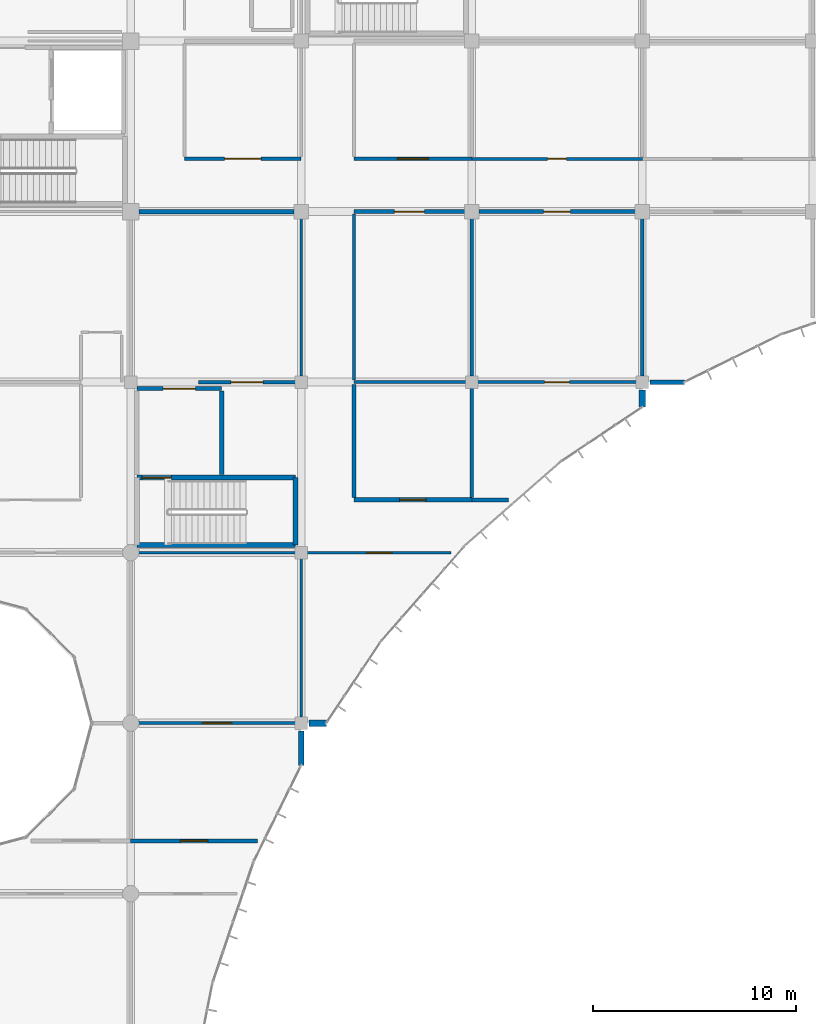
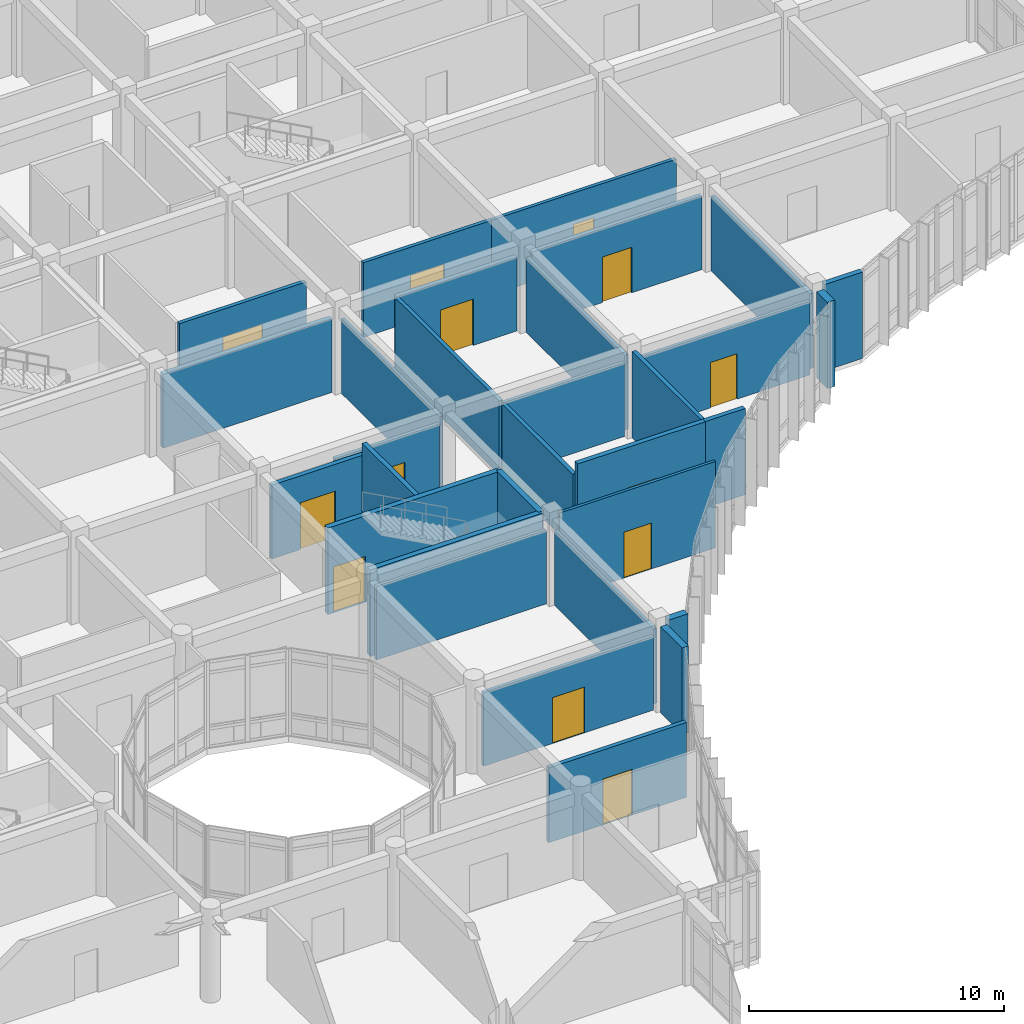
# One storey, part 119 of 144: 31 walls, 13 doors, 13 openings.
"""IFC4 building model written with IfcOpenShell, lengths in metres."""

from ifc_helpers import new_model, si_unit, direction, frame, frame_2d, origin, place, context, subcontext, project, spatial, rectangle, extrude, material, layer, layer_set, type_object, element, fill, save


model = new_model("IFC4")

# Units and contexts
model_context = context("Model", 3, precision=1e-05, world=origin(), true_north=direction((0.0, 1.0)))
body_context = subcontext(model_context, "Body", "Model", "MODEL_VIEW")
ifc_project = project(units=[si_unit("LENGTHUNIT", "METRE"), si_unit("AREAUNIT", "SQUARE_METRE"), si_unit("VOLUMEUNIT", "CUBIC_METRE"), si_unit("PLANEANGLEUNIT", "RADIAN"), si_unit("MASSUNIT", "GRAM", prefix="KILO")], contexts=[model_context])

# Site, building, storey
site_placement = place(None, origin())
site = spatial("IfcSite", under=ifc_project, at=site_placement, CompositionType="ELEMENT")
building_placement = place(site_placement, origin())
building = spatial("IfcBuilding", under=site, at=building_placement, Name="Bramfleet General Hospital", CompositionType="ELEMENT")
storey_placement = place(building_placement, frame((0.0, 0.0, 4.800048828125)))
storey = spatial("IfcBuildingStorey", under=building, at=storey_placement, Name="L01", CompositionType="ELEMENT", Elevation=4.800048828125)

# Walls
ifc_material_1 = material(Name="Precast concrete C40/50", Category="concrete")
ifc_layer_1 = layer(ifc_material_1, 0.3349609375, Name="WT-EW-03")
ifc_layer_set_1 = layer_set([ifc_layer_1], Name="Precast concrete C40/50")
wall_type_1 = type_object("IfcWallType", Name="WT-EW-03", PredefinedType="SOLIDWALL", material=ifc_layer_set_1)
wall_1_placement = place(storey_placement, frame((151.199951171875, 83.625, 0.0), z_axis=(0.0, 0.0, 1.0), x_axis=(0.0, -1.0, 0.0)))
element("IfcWall", 1, at=wall_1_placement, inside=storey, type_object=wall_type_1, Name="L01 Exterior Wall 176", PredefinedType="SOLIDWALL", context=body_context, shape_type="SweptSolid", body=[
    extrude(rectangle(XDim=0.85791015625, YDim=0.3349609375, at=frame_2d((0.428955078125, 0.0))), origin(), (0.0, 0.0, 1.0), 4.139892578125),
])
ifc_layer_2 = layer(ifc_material_1, 0.31494140625, Name="WT-EW-04")
ifc_layer_set_2 = layer_set([ifc_layer_2], Name="Precast concrete C40/50")
wall_type_2 = type_object("IfcWallType", Name="WT-EW-04", PredefinedType="SOLIDWALL", material=ifc_layer_set_2)
wall_2_placement = place(storey_placement, frame((135.633056640625, 67.199951171875, 0.0), z_axis=(0.0, 0.0, 1.0), x_axis=(-1.0, 0.0, 0.0)))
element("IfcWall", 2, at=wall_2_placement, inside=storey, type_object=wall_type_2, Name="L01 Exterior Wall 177", PredefinedType="SOLIDWALL", context=body_context, shape_type="SweptSolid", body=[
    extrude(rectangle(XDim=0.858154296875, YDim=0.31494140625, at=frame_2d((0.42919921875, 0.0))), origin(), (0.0, 0.0, 1.0), 4.139892578125),
])
ifc_layer_3 = layer(ifc_material_1, 0.294921875, Name="WT-EW-05")
ifc_layer_set_3 = layer_set([ifc_layer_3], Name="Precast concrete C40/50")
wall_type_3 = type_object("IfcWallType", Name="WT-EW-05", PredefinedType="SOLIDWALL", material=ifc_layer_set_3)
wall_3_placement = place(storey_placement, frame((134.39990234375, 66.824951171875, 0.0), z_axis=(0.0, 0.0, 1.0), x_axis=(0.0, -1.0, 0.0)))
element("IfcWall", 3, at=wall_3_placement, inside=storey, type_object=wall_type_3, Name="L01 Exterior Wall 178", PredefinedType="SOLIDWALL", context=body_context, shape_type="SweptSolid", body=[
    extrude(rectangle(XDim=1.698974609375, YDim=0.294921875, at=frame_2d((0.849609375, 0.0))), origin(), (0.0, 0.0, 1.0), 4.139892578125),
])
ifc_layer_4 = layer(ifc_material_1, 0.235107421875, Name="WT-EW-09")
ifc_layer_set_4 = layer_set([ifc_layer_4], Name="Precast concrete C40/50")
wall_type_4 = type_object("IfcWallType", Name="WT-EW-09", PredefinedType="SOLIDWALL", material=ifc_layer_set_4)
wall_4_placement = place(storey_placement, frame((153.27392578125, 84.0, 0.0), z_axis=(0.0, 0.0, 1.0), x_axis=(-1.0, 0.0, 0.0)))
element("IfcWall", 4, at=wall_4_placement, inside=storey, type_object=wall_type_4, Name="L01 Exterior Wall 175", PredefinedType="SOLIDWALL", context=body_context, shape_type="SweptSolid", body=[
    extrude(rectangle(XDim=1.698974609375, YDim=0.235107421875, at=frame_2d((0.849609375, 0.0))), origin(), (0.0, 0.0, 1.0), 4.139892578125),
])

# Wall, opening, door
ifc_material_2 = material(Name="Concrete C35/45", Category="concrete")
ifc_layer_5 = layer(ifc_material_2, 0.219970703125, Name="WT-IW-01")
ifc_layer_set_5 = layer_set([ifc_layer_5], Name="Concrete C35/45")
wall_type_5 = type_object("IfcWallType", Name="WT-IW-01", PredefinedType="PARTITIONING", material=ifc_layer_set_5)
wall_5_placement = place(storey_placement, frame((137.0, 78.199951171875, 0.0), z_axis=(0.0, 0.0, 1.0), x_axis=(1.0, 0.0, 0.0)))
wall_5 = element("IfcWall", 5, at=wall_5_placement, inside=storey, type_object=wall_type_5, Name="L01 Interior Partition IW-L01-1453", PredefinedType="PARTITIONING", context=body_context, shape_type="SweptSolid", body=[
    extrude(rectangle(XDim=5.800048828125, YDim=0.219970703125, at=frame_2d((2.89990234375, 0.0))), origin(), (0.0, 0.0, 1.0), 4.139892578125),
])
opening_1_placement = place(wall_5_placement, frame((2.25, 0.0, 0.0)))
opening_1 = element("IfcOpeningElement", 6, at=opening_1_placement, cuts=wall_5, Name="Opening D0815", PredefinedType="OPENING", context=body_context, shape_type="SweptSolid", body=[
    extrude(rectangle(XDim=1.300048828125, YDim=2.199951171875, at=frame_2d((0.64990234375, 1.10009765625))), frame((0.0, 0.119873046875, 0.0), z_axis=(0.0, -1.0, 0.0), x_axis=(1.0, 0.0, 0.0)), (0.0, 0.0, 1.0), 0.239990234375),
])
ifc_material_3 = material(Name="Stainless steel and acoustic timber leaf", Category="steel")
door_type_1 = type_object("IfcDoorType", Name="DR-D-15", OperationType="NOTDEFINED", PredefinedType="DOOR", material=ifc_material_3)
door_1_placement = place(opening_1_placement, origin())
door_1 = element("IfcDoor", 7, at=door_1_placement, inside=storey, type_object=door_type_1, Name="Pathology and Clinical Laboratory L01-1609A Door D0815", OperationType="SINGLE_SWING_RIGHT", OverallHeight=2.199951171875, OverallWidth=1.300048828125, PredefinedType="DOOR", context=body_context, shape_type="SweptSolid", body=[
    extrude(rectangle(XDim=1.300048828125, YDim=2.199951171875, at=frame_2d((0.64990234375, 1.10009765625))), frame((0.0, 0.02490234375, 0.0), z_axis=(0.0, -1.0, 0.0), x_axis=(1.0, 0.0, 0.0)), (0.0, 0.0, 1.0), 0.050048828125),
])
fill(opening_1, door_1)

# Walls
wall_6_placement = place(storey_placement, frame((126.39501953125, 92.39990234375, 0.0), z_axis=(0.0, 0.0, 1.0), x_axis=(1.0, 0.0, 0.0)))
element("IfcWall", 8, at=wall_6_placement, inside=storey, type_object=wall_type_5, Name="L01 Interior Partition IW-L01-1489", PredefinedType="PARTITIONING", context=body_context, shape_type="SweptSolid", body=[
    extrude(rectangle(XDim=7.659912109375, YDim=0.219970703125, at=frame_2d((3.830078125, 0.0))), origin(), (0.0, 0.0, 1.0), 3.5400390625),
])
ifc_layer_6 = layer(ifc_material_2, 0.205078125, Name="WT-IW-02")
ifc_layer_set_6 = layer_set([ifc_layer_6], Name="Concrete C35/45")
wall_type_6 = type_object("IfcWallType", Name="WT-IW-02", PredefinedType="PARTITIONING", material=ifc_layer_set_6)
wall_7_placement = place(storey_placement, frame((130.47998046875, 79.43994140625, 0.0), z_axis=(0.0, 0.0, 1.0), x_axis=(0.0, 1.0, 0.0)))
element("IfcWall", 9, at=wall_7_placement, inside=storey, type_object=wall_type_6, Name="L01 C12 Lobby East Shaft Wall", PredefinedType="PARTITIONING", context=body_context, shape_type="SweptSolid", body=[
    extrude(rectangle(XDim=4.1201171875, YDim=0.205078125, at=frame_2d((2.06005859375, 0.0))), origin(), (0.0, 0.0, 1.0), 4.139892578125),
])

# Wall, opening, door
wall_8_placement = place(storey_placement, frame((126.300048828125, 83.679931640625, 0.0), z_axis=(0.0, 0.0, 1.0), x_axis=(1.0, 0.0, 0.0)))
wall_8 = element("IfcWall", 10, at=wall_8_placement, inside=storey, type_object=wall_type_6, Name="L01 C12 Lobby North Compartment Wall", PredefinedType="PARTITIONING", context=body_context, shape_type="SweptSolid", body=[
    extrude(rectangle(XDim=4.179931640625, YDim=0.205078125, at=frame_2d((2.08984375, 0.0))), origin(), (0.0, 0.0, 1.0), 3.5400390625),
])
opening_2_placement = place(wall_8_placement, frame((1.2900390625, 0.0, 0.0)))
opening_2 = element("IfcOpeningElement", 11, at=opening_2_placement, cuts=wall_8, Name="Opening D0160", PredefinedType="OPENING", context=body_context, shape_type="SweptSolid", body=[
    extrude(rectangle(XDim=1.60009765625, YDim=2.25, at=frame_2d((0.800048828125, 1.125))), frame((0.0, 0.112548828125, 0.0), z_axis=(0.0, -1.0, 0.0), x_axis=(1.0, 0.0, 0.0)), (0.0, 0.0, 1.0), 0.22509765625),
])
door_type_2 = type_object("IfcDoorType", Name="DR-D-04", OperationType="NOTDEFINED", PredefinedType="DOOR", material=ifc_material_3)
door_2_placement = place(opening_2_placement, origin())
door_2 = element("IfcDoor", 12, at=door_2_placement, inside=storey, type_object=door_type_2, Name="L01 C12 Lobby Fire Door D0160", OperationType="DOUBLE_SWING_LEFT", OverallHeight=2.25, OverallWidth=1.60009765625, PredefinedType="DOOR", context=body_context, shape_type="SweptSolid", body=[
    extrude(rectangle(XDim=1.60009765625, YDim=2.25, at=frame_2d((0.800048828125, 1.125))), frame((0.0, 0.02490234375, 0.0), z_axis=(0.0, -1.0, 0.0), x_axis=(1.0, 0.0, 0.0)), (0.0, 0.0, 1.0), 0.050048828125),
])
fill(opening_2, door_2)

# Wall
wall_9_placement = place(storey_placement, frame((142.800048828125, 78.199951171875, 0.0), z_axis=(0.0, 0.0, 1.0), x_axis=(1.0, 0.0, 0.0)))
element("IfcWall", 13, at=wall_9_placement, inside=storey, type_object=wall_type_6, Name="L01 Interior Partition IW-L01-1454", PredefinedType="PARTITIONING", context=body_context, shape_type="SweptSolid", body=[
    extrude(rectangle(XDim=1.809814453125, YDim=0.205078125, at=frame_2d((0.90478515625, 0.0))), origin(), (0.0, 0.0, 1.0), 4.139892578125),
])

# Wall, opening, door
wall_10_placement = place(storey_placement, frame((137.0, 92.39990234375, 0.0), z_axis=(0.0, 0.0, 1.0), x_axis=(1.0, 0.0, 0.0)))
wall_10 = element("IfcWall", 14, at=wall_10_placement, inside=storey, type_object=wall_type_6, Name="L01 Interior Partition IW-L01-1490", PredefinedType="PARTITIONING", context=body_context, shape_type="SweptSolid", body=[
    extrude(rectangle(XDim=5.455078125, YDim=0.205078125, at=frame_2d((2.7275390625, 0.0))), origin(), (0.0, 0.0, 1.0), 3.5400390625),
])
opening_3_placement = place(wall_10_placement, frame((1.987548828125, 0.0, 0.0)))
opening_3 = element("IfcOpeningElement", 15, at=opening_3_placement, cuts=wall_10, Name="Opening D0816", PredefinedType="OPENING", context=body_context, shape_type="SweptSolid", body=[
    extrude(rectangle(XDim=1.47998046875, YDim=2.219970703125, at=frame_2d((0.739990234375, 1.10986328125))), frame((0.0, 0.112548828125, 0.0), z_axis=(0.0, -1.0, 0.0), x_axis=(1.0, 0.0, 0.0)), (0.0, 0.0, 1.0), 0.22509765625),
])
door_type_3 = type_object("IfcDoorType", Name="DR-D-16", OperationType="NOTDEFINED", PredefinedType="DOOR", material=ifc_material_3)
door_3_placement = place(opening_3_placement, origin())
door_3 = element("IfcDoor", 16, at=door_3_placement, inside=storey, type_object=door_type_3, Name="Pathology and Clinical Laboratory L01-1610A Door D0816", OperationType="SINGLE_SWING_LEFT", OverallHeight=2.219970703125, OverallWidth=1.47998046875, PredefinedType="DOOR", context=body_context, shape_type="SweptSolid", body=[
    extrude(rectangle(XDim=1.47998046875, YDim=2.219970703125, at=frame_2d((0.739990234375, 1.10986328125))), frame((0.0, 0.02490234375, 0.0), z_axis=(0.0, -1.0, 0.0), x_axis=(1.0, 0.0, 0.0)), (0.0, 0.0, 1.0), 0.050048828125),
])
fill(opening_3, door_3)

ifc_layer_7 = layer(ifc_material_2, 0.18994140625, Name="WT-IW-03")
ifc_layer_set_7 = layer_set([ifc_layer_7], Name="Concrete C35/45")
wall_type_7 = type_object("IfcWallType", Name="WT-IW-03", PredefinedType="PARTITIONING", material=ifc_layer_set_7)
wall_11_placement = place(storey_placement, frame((126.0, 61.39990234375, 0.0), z_axis=(0.0, 0.0, 1.0), x_axis=(1.0, 0.0, 0.0)))
wall_11 = element("IfcWall", 17, at=wall_11_placement, inside=storey, type_object=wall_type_7, Name="L01 Interior Partition IW-L01-1407", PredefinedType="PARTITIONING", context=body_context, shape_type="SweptSolid", body=[
    extrude(rectangle(XDim=6.250244140625, YDim=0.18994140625, at=frame_2d((3.125, 0.0))), origin(), (0.0, 0.0, 1.0), 3.58984375),
])
opening_4_placement = place(wall_11_placement, frame((2.4501953125, 0.0, 0.0)))
opening_4 = element("IfcOpeningElement", 18, at=opening_4_placement, cuts=wall_11, Name="Opening D0802", PredefinedType="OPENING", context=body_context, shape_type="SweptSolid", body=[
    extrude(rectangle(XDim=1.35009765625, YDim=2.199951171875, at=frame_2d((0.675048828125, 1.10009765625))), frame((0.0, 0.10498046875, 0.0), z_axis=(0.0, -1.0, 0.0), x_axis=(1.0, 0.0, 0.0)), (0.0, 0.0, 1.0), 0.2099609375),
])
door_type_4 = type_object("IfcDoorType", Name="DR-D-02", OperationType="NOTDEFINED", PredefinedType="DOOR", material=ifc_material_3)
door_4_placement = place(opening_4_placement, origin())
door_4 = element("IfcDoor", 19, at=door_4_placement, inside=storey, type_object=door_type_4, Name="Pathology and Clinical Laboratory L01-1507A Door D0802", OperationType="SINGLE_SWING_LEFT", OverallHeight=2.199951171875, OverallWidth=1.35009765625, PredefinedType="DOOR", context=body_context, shape_type="SweptSolid", body=[
    extrude(rectangle(XDim=1.35009765625, YDim=2.199951171875, at=frame_2d((0.675048828125, 1.10009765625))), frame((0.0, 0.02490234375, 0.0), z_axis=(0.0, -1.0, 0.0), x_axis=(1.0, 0.0, 0.0)), (0.0, 0.0, 1.0), 0.050048828125),
])
fill(opening_4, door_4)

wall_12_placement = place(storey_placement, frame((143.14501953125, 92.39990234375, 0.0), z_axis=(0.0, 0.0, 1.0), x_axis=(1.0, 0.0, 0.0)))
wall_12 = element("IfcWall", 20, at=wall_12_placement, inside=storey, type_object=wall_type_7, Name="L01 Interior Partition IW-L01-1491", PredefinedType="PARTITIONING", context=body_context, shape_type="SweptSolid", body=[
    extrude(rectangle(XDim=7.7099609375, YDim=0.18994140625, at=frame_2d((3.85498046875, 0.0))), origin(), (0.0, 0.0, 1.0), 3.5400390625),
])
opening_5_placement = place(wall_12_placement, frame((3.195068359375, 0.0, 0.0)))
opening_5 = element("IfcOpeningElement", 21, at=opening_5_placement, cuts=wall_12, Name="Opening D0824", PredefinedType="OPENING", context=body_context, shape_type="SweptSolid", body=[
    extrude(rectangle(XDim=1.320068359375, YDim=2.179931640625, at=frame_2d((0.66015625, 1.08984375))), frame((0.0, 0.10498046875, 0.0), z_axis=(0.0, -1.0, 0.0), x_axis=(1.0, 0.0, 0.0)), (0.0, 0.0, 1.0), 0.2099609375),
])
door_type_5 = type_object("IfcDoorType", Name="DR-D-24", OperationType="NOTDEFINED", PredefinedType="DOOR", material=ifc_material_3)
door_5_placement = place(opening_5_placement, origin())
door_5 = element("IfcDoor", 22, at=door_5_placement, inside=storey, type_object=door_type_5, Name="Pathology and Clinical Laboratory L01-1710A Door D0824", OperationType="SINGLE_SWING_LEFT", OverallHeight=2.179931640625, OverallWidth=1.320068359375, PredefinedType="DOOR", context=body_context, shape_type="SweptSolid", body=[
    extrude(rectangle(XDim=1.320068359375, YDim=2.179931640625, at=frame_2d((0.66015625, 1.08984375))), frame((0.0, 0.02490234375, 0.0), z_axis=(0.0, -1.0, 0.0), x_axis=(1.0, 0.0, 0.0)), (0.0, 0.0, 1.0), 0.050048828125),
])
fill(opening_5, door_5)

# Walls
ifc_layer_8 = layer(ifc_material_2, 0.179931640625, Name="WT-IW-04")
ifc_layer_set_8 = layer_set([ifc_layer_8], Name="Concrete C35/45")
wall_type_8 = type_object("IfcWallType", Name="WT-IW-04", PredefinedType="PARTITIONING", material=ifc_layer_set_8)
wall_13_placement = place(storey_placement, frame((137.0, 78.31494140625, 0.0), z_axis=(0.0, 0.0, 1.0), x_axis=(0.0, 1.0, 0.0)))
element("IfcWall", 23, at=wall_13_placement, inside=storey, type_object=wall_type_8, Name="L01 Interior Partition IW-L01-1888", PredefinedType="PARTITIONING", context=body_context, shape_type="SweptSolid", body=[
    extrude(rectangle(XDim=5.570068359375, YDim=0.179931640625, at=frame_2d((2.78515625, 0.0))), origin(), (0.0, 0.0, 1.0), 3.5400390625),
])
wall_14_placement = place(storey_placement, frame((142.800048828125, 78.31494140625, 0.0), z_axis=(0.0, 0.0, 1.0), x_axis=(0.0, 1.0, 0.0)))
element("IfcWall", 24, at=wall_14_placement, inside=storey, type_object=wall_type_8, Name="L01 Interior Partition IW-L01-1900", PredefinedType="PARTITIONING", context=body_context, shape_type="SweptSolid", body=[
    extrude(rectangle(XDim=5.39013671875, YDim=0.179931640625, at=frame_2d((2.695068359375, 0.0))), origin(), (0.0, 0.0, 1.0), 4.139892578125),
])
wall_15_placement = place(storey_placement, frame((151.199951171875, 84.294921875, 0.0), z_axis=(0.0, 0.0, 1.0), x_axis=(0.0, 1.0, 0.0)))
element("IfcWall", 25, at=wall_15_placement, inside=storey, type_object=wall_type_8, Name="L01 Interior Partition IW-L01-1912", PredefinedType="PARTITIONING", context=body_context, shape_type="SweptSolid", body=[
    extrude(rectangle(XDim=7.760009765625, YDim=0.179931640625, at=frame_2d((3.8798828125, 0.0))), origin(), (0.0, 0.0, 1.0), 3.58984375),
])

# Wall, opening, door
ifc_material_4 = material(Name="Gypsum plasterboard on acoustic steel studs", Category="steel")
ifc_layer_9 = layer(ifc_material_4, 0.169921875, Name="WT-IW-05")
ifc_layer_set_9 = layer_set([ifc_layer_9], Name="Gypsum plasterboard on acoustic steel studs")
wall_type_9 = type_object("IfcWallType", Name="WT-IW-05", PredefinedType="PARTITIONING", material=ifc_layer_set_9)
wall_16_placement = place(storey_placement, frame((128.64990234375, 95.0, 0.0), z_axis=(0.0, 0.0, 1.0), x_axis=(1.0, 0.0, 0.0)))
wall_16 = element("IfcWall", 26, at=wall_16_placement, inside=storey, type_object=wall_type_9, Name="L01 Interior Partition IW-L01-1505", PredefinedType="PARTITIONING", context=body_context, shape_type="SweptSolid", body=[
    extrude(rectangle(XDim=5.75, YDim=0.169921875, at=frame_2d((2.875, 0.0))), origin(), (0.0, 0.0, 1.0), 3.58984375),
])
opening_6_placement = place(wall_16_placement, frame((1.97509765625, 0.0, 0.0)))
opening_6 = element("IfcOpeningElement", 27, at=opening_6_placement, cuts=wall_16, Name="Opening D0805", PredefinedType="OPENING", context=body_context, shape_type="SweptSolid", body=[
    extrude(rectangle(XDim=1.800048828125, YDim=2.25, at=frame_2d((0.89990234375, 1.125))), frame((0.0, 0.094970703125, 0.0), z_axis=(0.0, -1.0, 0.0), x_axis=(1.0, 0.0, 0.0)), (0.0, 0.0, 1.0), 0.18994140625),
])
door_type_6 = type_object("IfcDoorType", Name="DR-D-05", OperationType="NOTDEFINED", PredefinedType="DOOR", material=ifc_material_3)
door_6_placement = place(opening_6_placement, origin())
door_6 = element("IfcDoor", 28, at=door_6_placement, inside=storey, type_object=door_type_6, Name="Pathology and Clinical Laboratory L01-1511A Door D0805", OperationType="DOUBLE_SWING_RIGHT", OverallHeight=2.25, OverallWidth=1.800048828125, PredefinedType="DOOR", context=body_context, shape_type="SweptSolid", body=[
    extrude(rectangle(XDim=1.800048828125, YDim=2.25, at=frame_2d((0.89990234375, 1.125))), frame((0.0, 0.02490234375, 0.0), z_axis=(0.0, -1.0, 0.0), x_axis=(1.0, 0.0, 0.0)), (0.0, 0.0, 1.0), 0.050048828125),
])
fill(opening_6, door_6)

# Walls
wall_17_placement = place(storey_placement, frame((137.0, 84.114990234375, 0.0), z_axis=(0.0, 0.0, 1.0), x_axis=(0.0, 1.0, 0.0)))
element("IfcWall", 29, at=wall_17_placement, inside=storey, type_object=wall_type_9, Name="L01 Interior Partition IW-L01-1889", PredefinedType="PARTITIONING", context=body_context, shape_type="SweptSolid", body=[
    extrude(rectangle(XDim=8.169921875, YDim=0.169921875, at=frame_2d((4.0849609375, 0.0))), origin(), (0.0, 0.0, 1.0), 3.5400390625),
])
wall_18_placement = place(storey_placement, frame((142.800048828125, 84.294921875, 0.0), z_axis=(0.0, 0.0, 1.0), x_axis=(0.0, 1.0, 0.0)))
element("IfcWall", 30, at=wall_18_placement, inside=storey, type_object=wall_type_9, Name="L01 Interior Partition IW-L01-1901", PredefinedType="PARTITIONING", context=body_context, shape_type="SweptSolid", body=[
    extrude(rectangle(XDim=7.760009765625, YDim=0.169921875, at=frame_2d((3.8798828125, 0.0))), origin(), (0.0, 0.0, 1.0), 3.58984375),
])

# Wall, opening, door
ifc_layer_10 = layer(ifc_material_4, 0.159912109375, Name="WT-IW-06")
ifc_layer_set_10 = layer_set([ifc_layer_10], Name="Gypsum plasterboard on acoustic steel studs")
wall_type_10 = type_object("IfcWallType", Name="WT-IW-06", PredefinedType="PARTITIONING", material=ifc_layer_set_10)
wall_19_placement = place(storey_placement, frame((129.35009765625, 84.0, 0.0), z_axis=(0.0, 0.0, 1.0), x_axis=(1.0, 0.0, 0.0)))
wall_19 = element("IfcWall", 31, at=wall_19_placement, inside=storey, type_object=wall_type_10, Name="L01 Interior Partition IW-L01-1470", PredefinedType="PARTITIONING", context=body_context, shape_type="SweptSolid", body=[
    extrude(rectangle(XDim=4.7548828125, YDim=0.159912109375, at=frame_2d((2.37744140625, 0.0))), origin(), (0.0, 0.0, 1.0), 3.5400390625),
])
opening_7_placement = place(wall_19_placement, frame((1.577392578125, 0.0, 0.0)))
opening_7 = element("IfcOpeningElement", 32, at=opening_7_placement, cuts=wall_19, Name="Opening D0804", PredefinedType="OPENING", context=body_context, shape_type="SweptSolid", body=[
    extrude(rectangle(XDim=1.60009765625, YDim=2.25, at=frame_2d((0.800048828125, 1.125))), frame((0.0, 0.08984375, 0.0), z_axis=(0.0, -1.0, 0.0), x_axis=(1.0, 0.0, 0.0)), (0.0, 0.0, 1.0), 0.179931640625),
])
door_7_placement = place(opening_7_placement, origin())
door_7 = element("IfcDoor", 33, at=door_7_placement, inside=storey, type_object=door_type_2, Name="Pathology and Clinical Laboratory L01-1510A Door D0804", OperationType="DOUBLE_SWING_LEFT", OverallHeight=2.25, OverallWidth=1.60009765625, PredefinedType="DOOR", context=body_context, shape_type="SweptSolid", body=[
    extrude(rectangle(XDim=1.60009765625, YDim=2.25, at=frame_2d((0.800048828125, 1.125))), frame((0.0, 0.02490234375, 0.0), z_axis=(0.0, -1.0, 0.0), x_axis=(1.0, 0.0, 0.0)), (0.0, 0.0, 1.0), 0.050048828125),
])
fill(opening_7, door_7)

wall_20_placement = place(storey_placement, frame((137.0, 95.0, 0.0), z_axis=(0.0, 0.0, 1.0), x_axis=(1.0, 0.0, 0.0)))
wall_20 = element("IfcWall", 34, at=wall_20_placement, inside=storey, type_object=wall_type_10, Name="L01 Interior Partition IW-L01-1506", PredefinedType="PARTITIONING", context=body_context, shape_type="SweptSolid", body=[
    extrude(rectangle(XDim=5.800048828125, YDim=0.159912109375, at=frame_2d((2.89990234375, 0.0))), origin(), (0.0, 0.0, 1.0), 3.58984375),
])
opening_8_placement = place(wall_20_placement, frame((2.1298828125, 0.0, 0.0)))
opening_8 = element("IfcOpeningElement", 35, at=opening_8_placement, cuts=wall_20, Name="Opening D0817", PredefinedType="OPENING", context=body_context, shape_type="SweptSolid", body=[
    extrude(rectangle(XDim=1.5400390625, YDim=2.239990234375, at=frame_2d((0.77001953125, 1.1201171875))), frame((0.0, 0.08984375, 0.0), z_axis=(0.0, -1.0, 0.0), x_axis=(1.0, 0.0, 0.0)), (0.0, 0.0, 1.0), 0.179931640625),
])
door_type_7 = type_object("IfcDoorType", Name="DR-D-17", OperationType="NOTDEFINED", PredefinedType="DOOR", material=ifc_material_3)
door_8_placement = place(opening_8_placement, origin())
door_8 = element("IfcDoor", 36, at=door_8_placement, inside=storey, type_object=door_type_7, Name="Pathology and Clinical Laboratory L01-1611A Door D0817", OperationType="SINGLE_SWING_RIGHT", OverallHeight=2.239990234375, OverallWidth=1.5400390625, PredefinedType="DOOR", context=body_context, shape_type="SweptSolid", body=[
    extrude(rectangle(XDim=1.5400390625, YDim=2.239990234375, at=frame_2d((0.77001953125, 1.1201171875))), frame((0.0, 0.02490234375, 0.0), z_axis=(0.0, -1.0, 0.0), x_axis=(1.0, 0.0, 0.0)), (0.0, 0.0, 1.0), 0.050048828125),
])
fill(opening_8, door_8)

ifc_layer_11 = layer(ifc_material_4, 0.14990234375, Name="WT-IW-07")
ifc_layer_set_11 = layer_set([ifc_layer_11], Name="Gypsum plasterboard on acoustic steel studs")
wall_type_11 = type_object("IfcWallType", Name="WT-IW-07", PredefinedType="PARTITIONING", material=ifc_layer_set_11)
wall_21_placement = place(storey_placement, frame((126.39501953125, 67.199951171875, 0.0), z_axis=(0.0, 0.0, 1.0), x_axis=(1.0, 0.0, 0.0)))
wall_21 = element("IfcWall", 37, at=wall_21_placement, inside=storey, type_object=wall_type_11, Name="L01 Interior Partition IW-L01-1423", PredefinedType="PARTITIONING", context=body_context, shape_type="SweptSolid", body=[
    extrude(rectangle(XDim=7.7099609375, YDim=0.14990234375, at=frame_2d((3.85498046875, 0.0))), origin(), (0.0, 0.0, 1.0), 3.5400390625),
])
opening_9_placement = place(wall_21_placement, frame((3.1298828125, 0.0, 0.0)))
opening_9 = element("IfcOpeningElement", 38, at=opening_9_placement, cuts=wall_21, Name="Opening D0803", PredefinedType="OPENING", context=body_context, shape_type="SweptSolid", body=[
    extrude(rectangle(XDim=1.449951171875, YDim=2.199951171875, at=frame_2d((0.72509765625, 1.10009765625))), frame((0.0, 0.0849609375, 0.0), z_axis=(0.0, -1.0, 0.0), x_axis=(1.0, 0.0, 0.0)), (0.0, 0.0, 1.0), 0.169921875),
])
door_type_8 = type_object("IfcDoorType", Name="DR-D-03", OperationType="NOTDEFINED", PredefinedType="DOOR", material=ifc_material_3)
door_9_placement = place(opening_9_placement, origin())
door_9 = element("IfcDoor", 39, at=door_9_placement, inside=storey, type_object=door_type_8, Name="Pathology and Clinical Laboratory L01-1508A Door D0803", OperationType="SINGLE_SWING_RIGHT", OverallHeight=2.199951171875, OverallWidth=1.449951171875, PredefinedType="DOOR", context=body_context, shape_type="SweptSolid", body=[
    extrude(rectangle(XDim=1.449951171875, YDim=2.199951171875, at=frame_2d((0.72509765625, 1.10009765625))), frame((0.0, 0.02490234375, 0.0), z_axis=(0.0, -1.0, 0.0), x_axis=(1.0, 0.0, 0.0)), (0.0, 0.0, 1.0), 0.050048828125),
])
fill(opening_9, door_9)

# Wall
wall_22_placement = place(storey_placement, frame((137.0, 84.0, 0.0), z_axis=(0.0, 0.0, 1.0), x_axis=(1.0, 0.0, 0.0)))
element("IfcWall", 40, at=wall_22_placement, inside=storey, type_object=wall_type_11, Name="L01 Interior Partition IW-L01-1471", PredefinedType="PARTITIONING", context=body_context, shape_type="SweptSolid", body=[
    extrude(rectangle(XDim=5.5048828125, YDim=0.14990234375, at=frame_2d((2.75244140625, 0.0))), origin(), (0.0, 0.0, 1.0), 3.5400390625),
])

# Wall, opening, door
wall_23_placement = place(storey_placement, frame((142.800048828125, 95.0, 0.0), z_axis=(0.0, 0.0, 1.0), x_axis=(1.0, 0.0, 0.0)))
wall_23 = element("IfcWall", 41, at=wall_23_placement, inside=storey, type_object=wall_type_11, Name="L01 Interior Partition IW-L01-1507", PredefinedType="PARTITIONING", context=body_context, shape_type="SweptSolid", body=[
    extrude(rectangle(XDim=8.39990234375, YDim=0.14990234375, at=frame_2d((4.199951171875, 0.0))), origin(), (0.0, 0.0, 1.0), 3.58984375),
])
opening_10_placement = place(wall_23_placement, frame((3.739990234375, 0.0, 0.0)))
opening_10 = element("IfcOpeningElement", 42, at=opening_10_placement, cuts=wall_23, Name="Opening D0825", PredefinedType="OPENING", context=body_context, shape_type="SweptSolid", body=[
    extrude(rectangle(XDim=0.919921875, YDim=2.080078125, at=frame_2d((0.4599609375, 1.0400390625))), frame((0.0, 0.0849609375, 0.0), z_axis=(0.0, -1.0, 0.0), x_axis=(1.0, 0.0, 0.0)), (0.0, 0.0, 1.0), 0.169921875),
])
door_type_9 = type_object("IfcDoorType", Name="DR-D-25", OperationType="NOTDEFINED", PredefinedType="DOOR", material=ifc_material_3)
door_10_placement = place(opening_10_placement, origin())
door_10 = element("IfcDoor", 43, at=door_10_placement, inside=storey, type_object=door_type_9, Name="Pathology and Clinical Laboratory L01-1711A Door D0825", OperationType="SINGLE_SWING_RIGHT", OverallHeight=2.080078125, OverallWidth=0.919921875, PredefinedType="DOOR", context=body_context, shape_type="SweptSolid", body=[
    extrude(rectangle(XDim=0.919921875, YDim=2.080078125, at=frame_2d((0.4599609375, 1.0400390625))), frame((0.0, 0.02490234375, 0.0), z_axis=(0.0, -1.0, 0.0), x_axis=(1.0, 0.0, 0.0)), (0.0, 0.0, 1.0), 0.050048828125),
])
fill(opening_10, door_10)

# Wall
ifc_layer_12 = layer(ifc_material_4, 0.139892578125, Name="WT-IW-08")
ifc_layer_set_12 = layer_set([ifc_layer_12], Name="Gypsum plasterboard on acoustic steel studs")
wall_type_12 = type_object("IfcWallType", Name="WT-IW-08", PredefinedType="PARTITIONING", material=ifc_layer_set_12)
wall_24_placement = place(storey_placement, frame((126.39501953125, 75.60009765625, 0.0), z_axis=(0.0, 0.0, 1.0), x_axis=(1.0, 0.0, 0.0)))
element("IfcWall", 44, at=wall_24_placement, inside=storey, type_object=wall_type_12, Name="L01 Interior Partition IW-L01-1436", PredefinedType="PARTITIONING", context=body_context, shape_type="SweptSolid", body=[
    extrude(rectangle(XDim=7.7099609375, YDim=0.139892578125, at=frame_2d((3.85498046875, 0.0))), origin(), (0.0, 0.0, 1.0), 3.5400390625),
])

# Wall, opening, door
wall_25_placement = place(storey_placement, frame((143.094970703125, 84.0, 0.0), z_axis=(0.0, 0.0, 1.0), x_axis=(1.0, 0.0, 0.0)))
wall_25 = element("IfcWall", 45, at=wall_25_placement, inside=storey, type_object=wall_type_12, Name="L01 Interior Partition IW-L01-1472", PredefinedType="PARTITIONING", context=body_context, shape_type="SweptSolid", body=[
    extrude(rectangle(XDim=7.81005859375, YDim=0.139892578125, at=frame_2d((3.905029296875, 0.0))), origin(), (0.0, 0.0, 1.0), 3.5400390625),
])
opening_11_placement = place(wall_25_placement, frame((3.294921875, 0.0, 0.0)))
opening_11 = element("IfcOpeningElement", 46, at=opening_11_placement, cuts=wall_25, Name="Opening D0823", PredefinedType="OPENING", context=body_context, shape_type="SweptSolid", body=[
    extrude(rectangle(XDim=1.219970703125, YDim=2.179931640625, at=frame_2d((0.60986328125, 1.08984375))), frame((0.0, 0.079833984375, 0.0), z_axis=(0.0, -1.0, 0.0), x_axis=(1.0, 0.0, 0.0)), (0.0, 0.0, 1.0), 0.159912109375),
])
door_type_10 = type_object("IfcDoorType", Name="DR-D-23", OperationType="NOTDEFINED", PredefinedType="DOOR", material=ifc_material_3)
door_11_placement = place(opening_11_placement, origin())
door_11 = element("IfcDoor", 47, at=door_11_placement, inside=storey, type_object=door_type_10, Name="Pathology and Clinical Laboratory L01-1709A Door D0823", OperationType="SINGLE_SWING_RIGHT", OverallHeight=2.179931640625, OverallWidth=1.219970703125, PredefinedType="DOOR", context=body_context, shape_type="SweptSolid", body=[
    extrude(rectangle(XDim=1.219970703125, YDim=2.179931640625, at=frame_2d((0.60986328125, 1.08984375))), frame((0.0, 0.02490234375, 0.0), z_axis=(0.0, -1.0, 0.0), x_axis=(1.0, 0.0, 0.0)), (0.0, 0.0, 1.0), 0.050048828125),
])
fill(opening_11, door_11)

# Wall
wall_26_placement = place(storey_placement, frame((134.39990234375, 67.4951171875, 0.0), z_axis=(0.0, 0.0, 1.0), x_axis=(0.0, 1.0, 0.0)))
element("IfcWall", 48, at=wall_26_placement, inside=storey, type_object=wall_type_12, Name="L01 Interior Partition IW-L01-1880", PredefinedType="PARTITIONING", context=body_context, shape_type="SweptSolid", body=[
    extrude(rectangle(XDim=7.809814453125, YDim=0.139892578125, at=frame_2d((3.90478515625, 0.0))), origin(), (0.0, 0.0, 1.0), 3.58984375),
])

# Wall, opening, door
ifc_layer_13 = layer(ifc_material_4, 0.1298828125, Name="WT-IW-09")
ifc_layer_set_13 = layer_set([ifc_layer_13], Name="Gypsum plasterboard on acoustic steel studs")
wall_type_13 = type_object("IfcWallType", Name="WT-IW-09", PredefinedType="PARTITIONING", material=ifc_layer_set_13)
wall_27_placement = place(storey_placement, frame((134.695068359375, 75.60009765625, 0.0), z_axis=(0.0, 0.0, 1.0), x_axis=(1.0, 0.0, 0.0)))
wall_27 = element("IfcWall", 49, at=wall_27_placement, inside=storey, type_object=wall_type_13, Name="L01 Interior Partition IW-L01-1437", PredefinedType="PARTITIONING", context=body_context, shape_type="SweptSolid", body=[
    extrude(rectangle(XDim=7.092529296875, YDim=0.1298828125, at=frame_2d((3.54638671875, 0.0))), origin(), (0.0, 0.0, 1.0), 4.139892578125),
])
opening_12_placement = place(wall_27_placement, frame((2.92138671875, 0.0, 0.0)))
opening_12 = element("IfcOpeningElement", 50, at=opening_12_placement, cuts=wall_27, Name="Opening D0814", PredefinedType="OPENING", context=body_context, shape_type="SweptSolid", body=[
    extrude(rectangle(XDim=1.25, YDim=2.199951171875, at=frame_2d((0.625, 1.10009765625))), frame((0.0, 0.074951171875, 0.0), z_axis=(0.0, -1.0, 0.0), x_axis=(1.0, 0.0, 0.0)), (0.0, 0.0, 1.0), 0.14990234375),
])
door_type_11 = type_object("IfcDoorType", Name="DR-D-14", OperationType="NOTDEFINED", PredefinedType="DOOR", material=ifc_material_3)
door_12_placement = place(opening_12_placement, origin())
door_12 = element("IfcDoor", 51, at=door_12_placement, inside=storey, type_object=door_type_11, Name="Pathology and Clinical Laboratory L01-1608A Door D0814", OperationType="SINGLE_SWING_LEFT", OverallHeight=2.199951171875, OverallWidth=1.25, PredefinedType="DOOR", context=body_context, shape_type="SweptSolid", body=[
    extrude(rectangle(XDim=1.25, YDim=2.199951171875, at=frame_2d((0.625, 1.10009765625))), frame((0.0, 0.02490234375, 0.0), z_axis=(0.0, -1.0, 0.0), x_axis=(1.0, 0.0, 0.0)), (0.0, 0.0, 1.0), 0.050048828125),
])
fill(opening_12, door_12)

# Walls
wall_28_placement = place(storey_placement, frame((134.39990234375, 84.294921875, 0.0), z_axis=(0.0, 0.0, 1.0), x_axis=(0.0, 1.0, 0.0)))
element("IfcWall", 52, at=wall_28_placement, inside=storey, type_object=wall_type_13, Name="L01 Interior Partition IW-L01-1881", PredefinedType="PARTITIONING", context=body_context, shape_type="SweptSolid", body=[
    extrude(rectangle(XDim=7.760009765625, YDim=0.1298828125, at=frame_2d((3.8798828125, 0.0))), origin(), (0.0, 0.0, 1.0), 3.58984375),
])
ifc_material_5 = material(Name="Concrete C40/50", Category="concrete")
ifc_layer_14 = layer(ifc_material_5, 0.239990234375, Name="WT-SW-240")
ifc_layer_set_14 = layer_set([ifc_layer_14], Name="Concrete C40/50")
wall_type_14 = type_object("IfcWallType", Name="WT-SW-240", PredefinedType="SHEAR", material=ifc_layer_set_14)
wall_29_placement = place(storey_placement, frame((126.300048828125, 75.97998046875, 0.0), z_axis=(0.0, 0.0, 1.0), x_axis=(1.0, 0.0, 0.0)))
element("IfcWall", 53, at=wall_29_placement, inside=storey, type_object=wall_type_14, Name="L01 C12 South Stair Shear Wall", PredefinedType="SHEAR", context=body_context, shape_type="SweptSolid", body=[
    extrude(rectangle(XDim=7.820068359375, YDim=0.239990234375, at=frame_2d((3.91015625, 0.0))), origin(), (0.0, 0.0, 1.0), 4.14990234375),
])
wall_30_placement = place(storey_placement, frame((134.1201171875, 75.97998046875, 0.0), z_axis=(0.0, 0.0, 1.0), x_axis=(0.0, 1.0, 0.0)))
element("IfcWall", 54, at=wall_30_placement, inside=storey, type_object=wall_type_14, Name="L01 C12 East Stair Shear Wall", PredefinedType="SHEAR", context=body_context, shape_type="SweptSolid", body=[
    extrude(rectangle(XDim=3.320068359375, YDim=0.239990234375, at=frame_2d((1.66015625, 0.0))), origin(), (0.0, 0.0, 1.0), 4.14990234375),
])

# Wall, opening, door
wall_31_placement = place(storey_placement, frame((126.300048828125, 79.300048828125, 0.0), z_axis=(0.0, 0.0, 1.0), x_axis=(1.0, 0.0, 0.0)))
wall_31 = element("IfcWall", 55, at=wall_31_placement, inside=storey, type_object=wall_type_14, Name="L01 C12 Stair-Lobby Shear Wall", PredefinedType="SHEAR", context=body_context, shape_type="SweptSolid", body=[
    extrude(rectangle(XDim=7.820068359375, YDim=0.239990234375, at=frame_2d((3.91015625, 0.0))), origin(), (0.0, 0.0, 1.0), 4.14990234375),
])
opening_13_placement = place(wall_31_placement, frame((0.25, 0.0, 0.0)))
opening_13 = element("IfcOpeningElement", 56, at=opening_13_placement, cuts=wall_31, Name="Opening D0159", PredefinedType="OPENING", context=body_context, shape_type="SweptSolid", body=[
    extrude(rectangle(XDim=1.449951171875, YDim=2.199951171875, at=frame_2d((0.72509765625, 1.10009765625))), frame((0.0, 0.1298828125, 0.0), z_axis=(0.0, -1.0, 0.0), x_axis=(1.0, 0.0, 0.0)), (0.0, 0.0, 1.0), 0.260009765625),
])
door_13_placement = place(opening_13_placement, origin())
door_13 = element("IfcDoor", 57, at=door_13_placement, inside=storey, type_object=door_type_8, Name="L01 C12 Escape Stair Fire Door D0159", OperationType="SINGLE_SWING_RIGHT", OverallHeight=2.199951171875, OverallWidth=1.449951171875, PredefinedType="DOOR", context=body_context, shape_type="SweptSolid", body=[
    extrude(rectangle(XDim=1.449951171875, YDim=2.199951171875, at=frame_2d((0.72509765625, 1.10009765625))), frame((0.0, 0.02490234375, 0.0), z_axis=(0.0, -1.0, 0.0), x_axis=(1.0, 0.0, 0.0)), (0.0, 0.0, 1.0), 0.050048828125),
])
fill(opening_13, door_13)

save(model, "model.ifc")
